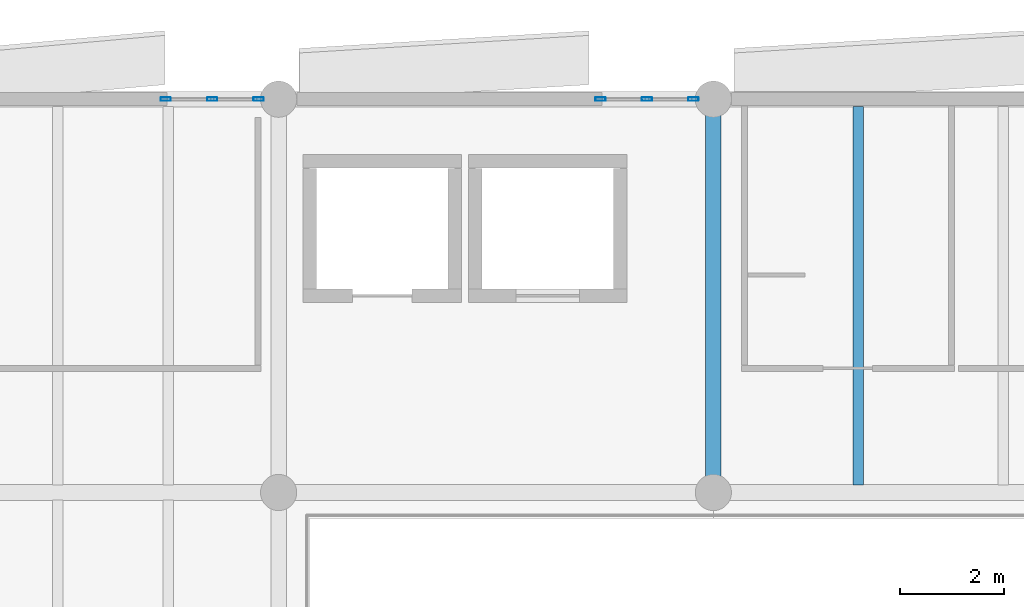
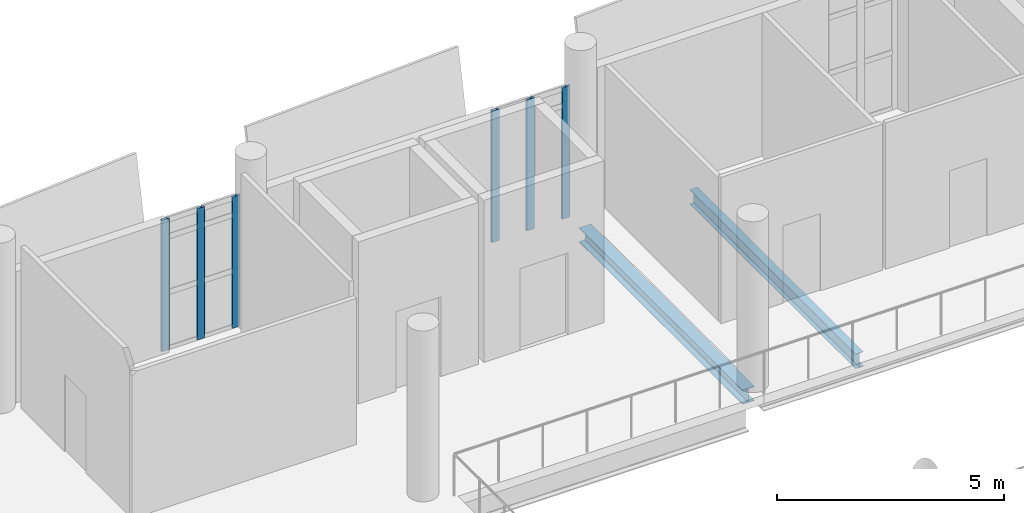
# One storey, part 39 of 136: 6 members, 2 beams, 2 elements without a shape of their own.
"""IFC4 building model written with IfcOpenShell, lengths in metres."""

from ifc_helpers import new_model, si_unit, direction, frame, origin, origin_2d, place, context, subcontext, project, spatial, hollow_rectangle, i_section, extrude, material, material_profile, profile_set, type_object, element, aggregate, save


model = new_model("IFC4")

# Units and contexts
model_context = context("Model", 3, precision=1e-05, world=origin(), true_north=direction((0.0, 1.0)))
body_context = subcontext(model_context, "Body", "Model", "MODEL_VIEW")
ifc_project = project(units=[si_unit("LENGTHUNIT", "METRE"), si_unit("AREAUNIT", "SQUARE_METRE"), si_unit("VOLUMEUNIT", "CUBIC_METRE"), si_unit("PLANEANGLEUNIT", "RADIAN"), si_unit("MASSUNIT", "GRAM", prefix="KILO")], contexts=[model_context])

# Site, building, storey
site_placement = place(None, origin())
site = spatial("IfcSite", under=ifc_project, at=site_placement, CompositionType="ELEMENT")
building_placement = place(site_placement, origin())
building = spatial("IfcBuilding", under=site, at=building_placement, Name="Shengluoqiao Park Theatre", CompositionType="ELEMENT")
storey_placement = place(building_placement, frame((0.0, 0.0, 10.0)))
storey = spatial("IfcBuildingStorey", under=building, at=storey_placement, Name="L02", CompositionType="ELEMENT", Elevation=10.0)

# Curtain wall, members
ifc_material_1 = material(Name="Aluminium 6063-T6", Category="aluminium")
curtain_wall_type = type_object("IfcCurtainWallType", Name="ENV-CW-FOYER", PredefinedType="NOTDEFINED", material=ifc_material_1)
curtain_wall_1_placement = place(storey_placement, origin())
curtain_wall_1 = element("IfcCurtainWall", 1, at=curtain_wall_1_placement, inside=storey, type_object=curtain_wall_type, Name="L02 Curtain Wall CW-L02-0062", PredefinedType="NOTDEFINED")
ifc_material_profile_1 = material_profile(ifc_material_1, hollow_rectangle(XDim=0.06494140625, YDim=0.199951171875, WallThickness=0.0048828125, InnerFilletRadius=0.0048828125, OuterFilletRadius=0.010009765625, at=origin_2d()), Name="ALU MULLION 200x65x5")
ifc_profile_set_1 = profile_set([ifc_material_profile_1], Name="Aluminium 6063-T6")
member_type = type_object("IfcMemberType", Name="ENV-MUL-200", PredefinedType="MULLION", material=ifc_profile_set_1)
member_1_placement = place(storey_placement, frame((17.0185546875, 76.0, 0.0), z_axis=(0.0, 0.0, 1.0), x_axis=(0.0, 1.0, 0.0)))
member_1 = element("IfcMember", 2, at=member_1_placement, type_object=member_type, Name="CW-01 mullion 1", PredefinedType="MULLION", context=body_context, shape_type="SweptSolid", body=[
    extrude(hollow_rectangle(XDim=0.06494140625, YDim=0.199951171875, WallThickness=0.0048828125, InnerFilletRadius=0.0048828125, OuterFilletRadius=0.010009765625, at=origin_2d()), origin(), (0.0, 0.0, 1.0), 3.5380859375),
])
member_2_placement = place(storey_placement, frame((17.916015625, 76.0, 0.0), z_axis=(0.0, 0.0, 1.0), x_axis=(0.0, 1.0, 0.0)))
member_2 = element("IfcMember", 3, at=member_2_placement, type_object=member_type, Name="CW-01 mullion 2", PredefinedType="MULLION", context=body_context, shape_type="SweptSolid", body=[
    extrude(hollow_rectangle(XDim=0.06494140625, YDim=0.199951171875, WallThickness=0.0048828125, InnerFilletRadius=0.0048828125, OuterFilletRadius=0.010009765625, at=origin_2d()), origin(), (0.0, 0.0, 1.0), 3.5380859375),
])
member_3_placement = place(storey_placement, frame((18.8134765625, 76.0, 0.0), z_axis=(0.0, 0.0, 1.0), x_axis=(0.0, 1.0, 0.0)))
member_3 = element("IfcMember", 4, at=member_3_placement, type_object=member_type, Name="CW-01 mullion 3", PredefinedType="MULLION", context=body_context, shape_type="SweptSolid", body=[
    extrude(hollow_rectangle(XDim=0.06494140625, YDim=0.199951171875, WallThickness=0.0048828125, InnerFilletRadius=0.0048828125, OuterFilletRadius=0.010009765625, at=origin_2d()), origin(), (0.0, 0.0, 1.0), 3.5380859375),
])
aggregate(curtain_wall_1, [member_1, member_2, member_3])

curtain_wall_2_placement = place(storey_placement, origin())
curtain_wall_2 = element("IfcCurtainWall", 5, at=curtain_wall_2_placement, inside=storey, type_object=curtain_wall_type, Name="L02 Curtain Wall CW-L02-0063", PredefinedType="NOTDEFINED")
member_4_placement = place(storey_placement, frame((25.41845703125, 76.0, 0.0), z_axis=(0.0, 0.0, 1.0), x_axis=(0.0, 1.0, 0.0)))
member_4 = element("IfcMember", 6, at=member_4_placement, type_object=member_type, Name="CW-01 mullion 1", PredefinedType="MULLION", context=body_context, shape_type="SweptSolid", body=[
    extrude(hollow_rectangle(XDim=0.06494140625, YDim=0.199951171875, WallThickness=0.0048828125, InnerFilletRadius=0.0048828125, OuterFilletRadius=0.010009765625, at=origin_2d()), origin(), (0.0, 0.0, 1.0), 3.5380859375),
])
member_5_placement = place(storey_placement, frame((26.31591796875, 76.0, 0.0), z_axis=(0.0, 0.0, 1.0), x_axis=(0.0, 1.0, 0.0)))
member_5 = element("IfcMember", 7, at=member_5_placement, type_object=member_type, Name="CW-01 mullion 2", PredefinedType="MULLION", context=body_context, shape_type="SweptSolid", body=[
    extrude(hollow_rectangle(XDim=0.06494140625, YDim=0.199951171875, WallThickness=0.0048828125, InnerFilletRadius=0.0048828125, OuterFilletRadius=0.010009765625, at=origin_2d()), origin(), (0.0, 0.0, 1.0), 3.5380859375),
])
member_6_placement = place(storey_placement, frame((27.21337890625, 76.0, 0.0), z_axis=(0.0, 0.0, 1.0), x_axis=(0.0, 1.0, 0.0)))
member_6 = element("IfcMember", 8, at=member_6_placement, type_object=member_type, Name="CW-01 mullion 3", PredefinedType="MULLION", context=body_context, shape_type="SweptSolid", body=[
    extrude(hollow_rectangle(XDim=0.06494140625, YDim=0.199951171875, WallThickness=0.0048828125, InnerFilletRadius=0.0048828125, OuterFilletRadius=0.010009765625, at=origin_2d()), origin(), (0.0, 0.0, 1.0), 3.5380859375),
])
aggregate(curtain_wall_2, [member_4, member_5, member_6])

# Beams
ifc_material_2 = material(Name="Steel Q355", Category="steel")
ifc_material_profile_2 = material_profile(ifc_material_2, i_section(OverallWidth=0.300048828125, OverallDepth=0.389892578125, WebThickness=0.010009765625, FlangeThickness=0.01611328125, FilletRadius=0.01806640625, at=origin_2d()), Name="HM 390x300x10x16")
ifc_profile_set_2 = profile_set([ifc_material_profile_2], Name="Steel Q355")
beam_type_1 = type_object("IfcBeamType", Name="STR-BM-G-HM390", PredefinedType="BEAM", material=ifc_profile_set_2)
beam_1_placement = place(storey_placement, frame((27.60009765625, 68.593994140625, -0.43505859375), z_axis=(0.0, 1.0, 0.0), x_axis=(-1.0, 0.0, 0.0)))
element("IfcBeam", 9, at=beam_1_placement, inside=storey, type_object=beam_type_1, Name="L02 Transverse Girder 00955", PredefinedType="BEAM", context=body_context, shape_type="SweptSolid", body=[
    extrude(i_section(OverallWidth=0.300048828125, OverallDepth=0.389892578125, WebThickness=0.010009765625, FlangeThickness=0.01611328125, FilletRadius=0.01806640625, at=origin_2d()), origin(), (0.0, 0.0, 1.0), 7.2119140625),
])
ifc_material_profile_3 = material_profile(ifc_material_2, i_section(OverallWidth=0.199951171875, OverallDepth=0.39990234375, WebThickness=0.008056640625, FlangeThickness=0.012939453125, FilletRadius=0.01611328125, at=origin_2d()), Name="HN 400x200x8x13")
ifc_profile_set_3 = profile_set([ifc_material_profile_3], Name="Steel Q355")
beam_type_2 = type_object("IfcBeamType", Name="STR-BM-J-HN400", PredefinedType="JOIST", material=ifc_profile_set_3)
beam_2_placement = place(storey_placement, frame((30.39990234375, 68.544921875, -0.43994140625), z_axis=(0.0, 1.0, 0.0), x_axis=(-1.0, 0.0, 0.0)))
element("IfcBeam", 10, at=beam_2_placement, inside=storey, type_object=beam_type_2, Name="L02 Composite Joist 00982", PredefinedType="JOIST", context=body_context, shape_type="SweptSolid", body=[
    extrude(i_section(OverallWidth=0.199951171875, OverallDepth=0.39990234375, WebThickness=0.008056640625, FlangeThickness=0.012939453125, FilletRadius=0.01611328125, at=origin_2d()), origin(), (0.0, 0.0, 1.0), 7.31005859375),
])

save(model, "model.ifc")
